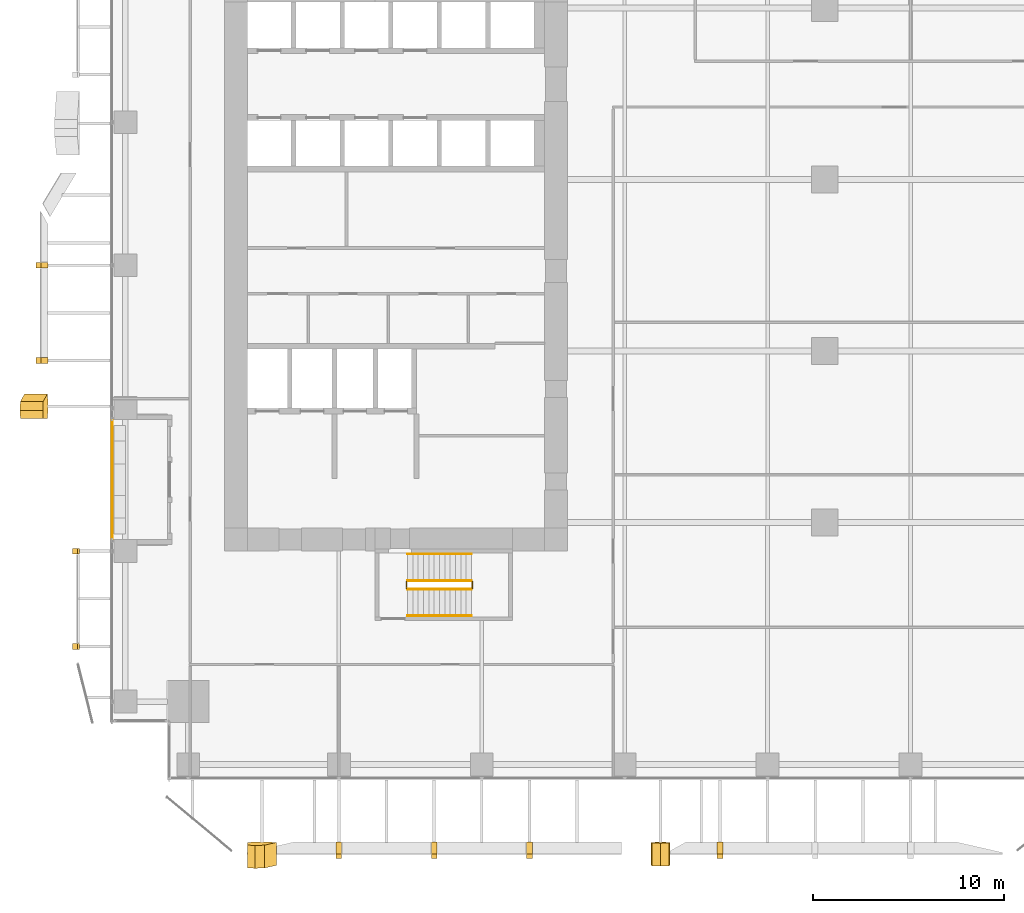
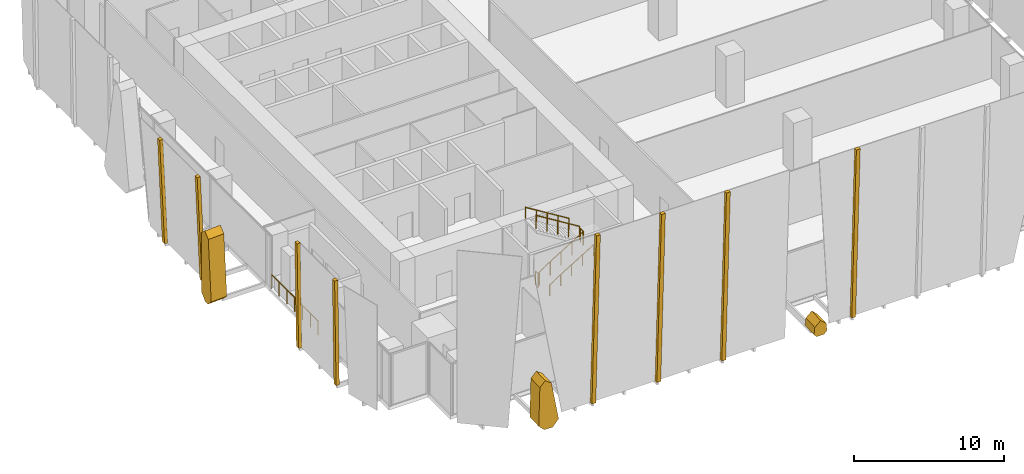
# One storey, part 31 of 35: 11 coverings, 7 railings.
"""IFC4 building model written with IfcOpenShell, lengths in metres."""

from ifc_helpers import new_model, si_unit, direction, frame, origin, origin_2d, place, context, subcontext, project, spatial, polyline, circle, outline, extrude, source, transform, mapped, material, layer, layer_set, type_object, element, save


model = new_model("IFC4")

# Units and contexts
model_context = context("Model", 3, precision=1e-05, world=origin(), true_north=direction((0.0, 1.0)))
body_context = subcontext(model_context, "Body", "Model", "MODEL_VIEW")
ifc_project = project(units=[si_unit("LENGTHUNIT", "METRE"), si_unit("AREAUNIT", "SQUARE_METRE"), si_unit("VOLUMEUNIT", "CUBIC_METRE"), si_unit("PLANEANGLEUNIT", "RADIAN"), si_unit("MASSUNIT", "GRAM", prefix="KILO")], contexts=[model_context])

# Site, building, storey
site_placement = place(None, origin())
site = spatial("IfcSite", under=ifc_project, at=site_placement, CompositionType="ELEMENT")
building_placement = place(site_placement, origin())
building = spatial("IfcBuilding", under=site, at=building_placement, Name="Khomas Fold Tower", CompositionType="ELEMENT")
storey_placement = place(building_placement, frame((0.0, 0.0, 87.0)))
storey = spatial("IfcBuildingStorey", under=building, at=storey_placement, Name="L18", CompositionType="ELEMENT", Elevation=87.0)

# Coverings
ifc_material_1 = material(Name="Natural stone cladding", Category="masonry")
ifc_layer_1 = layer(ifc_material_1, 0.25)
ifc_layer_set_1 = layer_set([ifc_layer_1], Name="Natural stone cladding")
covering_type_1 = type_object("IfcCoveringType", Name="SK-Karibib marble stone mullion", PredefinedType="CLADDING", material=ifc_layer_set_1)
for number, where, z_axis, x_axis, name in (
    (1, (11.85009765625, -3.264892578125, 0.0), (0.0, 0.999041889432, 0.043764176671), (0.0, -0.043764176671, 0.999041889432), "OUTER SKIN mullion L18 SM100-3"),
    (2, (16.85009765625, -3.264892578125, 0.0), (0.0, 0.999041889432, 0.043764176671), (0.0, -0.043764176671, 0.999041889432), "OUTER SKIN mullion L18 SM101-5"),
    (3, (21.85009765625, -3.264892578125, 0.0), (0.0, 0.999041889432, 0.043764176671), (0.0, -0.043764176671, 0.999041889432), "OUTER SKIN mullion L18 SM102-7"),
    (4, (31.85009765625, -3.264892578125, 0.0), (0.0, 0.999041889432, 0.043764176671), (0.0, -0.043764176671, 0.999041889432), "OUTER SKIN mullion L18 SM104-10"),
):
    element("IfcCovering", number, at=place(storey_placement, frame(where, z_axis=z_axis, x_axis=x_axis)), inside=storey, type_object=covering_type_1, Name=name, PredefinedType="CLADDING", context=body_context, shape_type="SweptSolid", body=[
        extrude(outline(polyline([(0.0, 0.0), (14.06352323836003, 0.0), (14.06352323836003, 0.2998046875), (0.0, 0.2998046875), (0.0, 0.0)])), origin(), (0.0, 0.0, -1.0), 0.25),
    ])
for number, where, z_axis, x_axis, name in (
    (5, (-1.609375, 6.85009765625, 0.0), (0.999913371991, 0.0, 0.013162390123), (-0.013162390123, 0.0, 0.999913371991), "OUTER SKIN mullion L18 WM099-2"),
    (6, (-1.609375, 11.85009765625, 0.0), (0.999913371991, 0.0, 0.013162390123), (-0.013162390123, 0.0, 0.999913371991), "OUTER SKIN mullion L18 WM100-4"),
):
    element("IfcCovering", number, at=place(storey_placement, frame(where, z_axis=z_axis, x_axis=x_axis)), inside=storey, type_object=covering_type_1, Name=name, PredefinedType="CLADDING", context=body_context, shape_type="SweptSolid", body=[
        extrude(outline(polyline([(0.0, 0.0), (8.550789566001143, 0.0), (8.550789566001143, -0.2998046875), (0.0, -0.2998046875), (0.0, 0.0)])), origin(), (0.0, 0.0, -1.0), 0.25),
    ])
for number, where, z_axis, x_axis, name in (
    (7, (-3.639404296875, 22.14990234375, 8.550048828125), (0.999042057933, 0.0, 0.043760329998), (0.043760329998, 0.0, -0.999042057933), "OUTER SKIN mullion L18 WM102-5"),
    (8, (-3.639404296875, 27.14990234375, 8.550048828125), (0.999042057933, 0.0, 0.043760329998), (0.043760329998, 0.0, -0.999042057933), "OUTER SKIN mullion L18 WM103-7"),
):
    element("IfcCovering", number, at=place(storey_placement, frame(where, z_axis=z_axis, x_axis=x_axis)), inside=storey, type_object=covering_type_1, Name=name, PredefinedType="CLADDING", context=body_context, shape_type="SweptSolid", body=[
        extrude(outline(polyline([(0.0, 0.0), (8.558247133075952, 0.0), (8.558247133075952, -0.2998046875), (0.0, -0.2998046875), (0.0, 0.0)])), origin(), (0.0, 0.0, -1.0), 0.25),
    ])
ifc_material_2 = material(Name="Natural stone cladding", Category="masonry")
ifc_layer_2 = layer(ifc_material_2, 1.199951171875)
ifc_layer_set_2 = layer_set([ifc_layer_2], Name="Natural stone cladding")
covering_type_2 = type_object("IfcCoveringType", Name="SK-Karibib marble stone panel", PredefinedType="CLADDING", material=ifc_layer_set_2)
covering_1_placement = place(storey_placement, frame((7.199951171875, -3.28466796875, 0.449951171875), z_axis=(9.4853764e-05, 0.999040844826, 0.04378791354), x_axis=(-4.925e-09, -0.043787913737, 0.99904084932)))
element("IfcCovering", 9, at=covering_1_placement, inside=storey, type_object=covering_type_2, Name="OUTER SKIN leaf L18 SS03-1", PredefinedType="CLADDING", context=body_context, shape_type="SweptSolid", body=[
    extrude(outline(polyline([(0.0, 0.0), (3.2264760126258487, 1.6940658945086007e-21), (3.674666376509045, 0.406494155252103), (3.3129899406757155, 0.8916015701172282), (0.08651392494154138, 1.5227050829031346), (-0.4503855293270899, 1.0812988159203025), (-0.4503855262175622, 0.4499511625104944), (0.0, 0.0)])), origin(), (0.0, 0.0, -1.0), 1.199951171875),
])
covering_2_placement = place(storey_placement, frame((28.42919921875, -3.3125, 1.087890625), z_axis=(0.0, 0.999042286618, 0.043755108823), x_axis=(0.733814728293, -0.029725017787, 0.678699025974)))
element("IfcCovering", 10, at=covering_2_placement, inside=storey, type_object=covering_type_2, Name="OUTER SKIN leaf L18 SS06-2", PredefinedType="CLADDING", context=body_context, shape_type="SweptSolid", body=[
    extrude(outline(polyline([(0.0, 0.0), (0.6111710638031769, -5.551115123125783e-17), (0.6583909000183447, 0.6095239153369367), (0.28307548144141087, 1.084288454298019), (-0.03624354222575099, 1.1093651528515838), (-0.44489378520312356, 0.731045683223406), (-0.44464801131355947, 0.4105779388970292), (0.0, 0.0)])), origin(), (0.0, 0.0, -1.0), 1.199951171875),
])
covering_3_placement = place(storey_placement, frame((-3.28466796875, 18.949951171875, 0.449951171875), z_axis=(0.999042138393, -6.7033098e-05, 0.043758441728), x_axis=(-0.043758441827, 7.81e-10, 0.999042140637)))
element("IfcCovering", 11, at=covering_3_placement, inside=storey, type_object=covering_type_2, Name="OUTER SKIN leaf L18 WS05-1", PredefinedType="CLADDING", context=body_context, shape_type="SweptSolid", body=[
    extrude(outline(polyline([(0.0, 0.0), (5.167789176070743, 0.0), (5.617686885075836, -0.43237303960935325), (5.202975851309773, -0.8986816436020209), (0.035186675554949934, -1.3029785176936797), (-0.4503855215447625, -0.8544921904425469), (-0.4503855218608732, -0.4499511757264364), (0.0, 0.0)])), origin(), (0.0, 0.0, -1.0), 1.199951171875),
])

# Railings
ifc_material_3 = material(Name="Powder-coated steel", Category="steel")
railing_type_1 = type_object("IfcRailingType", Name="Balcony guard", PredefinedType="GUARDRAIL", material=ifc_material_3)
shared_shape_1 = source(origin(), body_context, "Body", "SweptSolid", [
    extrude(circle(Radius=0.02490234375, at=origin_2d()), frame((0.0, 0.0, 1.125), z_axis=(0.0, 1.0, 0.0), x_axis=(-1.0, 0.0, 0.0)), (0.0, 0.0, 1.0), 6.240234375),
    extrude(circle(Radius=0.02001953125, at=origin_2d()), origin(), (0.0, 0.0, 1.0), 1.099853515625),
    extrude(circle(Radius=0.02001953125, at=origin_2d()), frame((0.0, 1.0400390625, 0.0)), (0.0, 0.0, 1.0), 1.099853515625),
    extrude(circle(Radius=0.02001953125, at=origin_2d()), frame((0.0, 2.080078125, 0.0)), (0.0, 0.0, 1.0), 1.099853515625),
    extrude(circle(Radius=0.02001953125, at=origin_2d()), frame((0.0, 3.1201171875, 0.0)), (0.0, 0.0, 1.0), 1.099853515625),
    extrude(circle(Radius=0.02001953125, at=origin_2d()), frame((0.0, 4.16015625, 0.0)), (0.0, 0.0, 1.0), 1.099853515625),
    extrude(circle(Radius=0.02001953125, at=origin_2d()), frame((0.0, 5.2001953125, 0.0)), (0.0, 0.0, 1.0), 1.099853515625),
    extrude(circle(Radius=0.02001953125, at=origin_2d()), frame((0.0, 6.240234375, 0.0)), (0.0, 0.0, 1.0), 1.099853515625),
])
railing_1_placement = place(storey_placement, frame((0.10009765625, 12.6298828125, -0.044921875)))
element("IfcRailing", 12, at=railing_1_placement, inside=storey, type_object=railing_type_1, Name="Balcony guard BAL-L18-W1", PredefinedType="GUARDRAIL", context=body_context, shape_type="MappedRepresentation", body=[
    mapped(shared_shape_1, transform((0.0, 0.0, 0.0))),
])
ifc_material_4 = material(Name="Steel balustrade", Category="steel")
railing_type_2 = type_object("IfcRailingType", Name="Stair guard", PredefinedType="GUARDRAIL", material=ifc_material_4)
shared_shape_2 = source(origin(), body_context, "Body", "SweptSolid", [
    extrude(circle(Radius=0.02392578125, at=origin_2d()), frame((0.0, 0.0, 1.076171875), z_axis=(0.850606129759, 0.0, 0.525803396734), x_axis=(0.0, 1.0, 0.0)), (0.0, 0.0, 1.0), 3.949951171875),
    extrude(circle(Radius=0.02099609375, at=origin_2d()), origin(), (0.0, 0.0, 1.0), 1.052001953125),
    extrude(circle(Radius=0.02099609375, at=origin_2d()), frame((0.83984375, 0.0, 0.519287109375)), (0.0, 0.0, 1.0), 1.052001953125),
    extrude(circle(Radius=0.02099609375, at=origin_2d()), frame((1.679931640625, 0.0, 1.03857421875)), (0.0, 0.0, 1.0), 1.052001953125),
    extrude(circle(Radius=0.02099609375, at=origin_2d()), frame((2.52001953125, 0.0, 1.5576171875)), (0.0, 0.0, 1.0), 1.052001953125),
    extrude(circle(Radius=0.02099609375, at=origin_2d()), frame((3.35986328125, 0.0, 2.076904296875)), (0.0, 0.0, 1.0), 1.052001953125),
])
railing_2_placement = place(storey_placement, frame((15.60009765625, 10.0, 0.173095703125)))
element("IfcRailing", 13, at=railing_2_placement, inside=storey, type_object=railing_type_2, Name="L18 ST2 stair guard 1", PredefinedType="GUARDRAIL", context=body_context, shape_type="MappedRepresentation", body=[
    mapped(shared_shape_2, transform((0.0, 0.0, 0.0))),
])
shared_shape_3 = source(origin(), body_context, "Body", "SweptSolid", [
    extrude(circle(Radius=0.02392578125, at=origin_2d()), frame((0.0, 0.0, 1.076171875), z_axis=(0.0, 1.0, 0.0), x_axis=(-1.0, 0.0, 0.0)), (0.0, 0.0, 1.0), 0.349853515625),
    extrude(circle(Radius=0.02099609375, at=origin_2d()), origin(), (0.0, 0.0, 1.0), 1.052001953125),
    extrude(circle(Radius=0.02099609375, at=origin_2d()), frame((0.0, 0.349853515625, 0.0)), (0.0, 0.0, 1.0), 1.052001953125),
])
for number, where, name in (
    (14, (19.010009765625, 10.050048828125, 2.25), "L18 ST2 stair guard 2"),
    (15, (15.550048828125, 10.050048828125, 0.0), "L18 ST2 stair guard 4"),
):
    element("IfcRailing", number, at=place(storey_placement, frame(where)), inside=storey, type_object=railing_type_2, Name=name, PredefinedType="GUARDRAIL", context=body_context, shape_type="MappedRepresentation", body=[
        mapped(shared_shape_3, transform((0.0, 0.0, 0.0))),
    ])
shared_shape_4 = source(origin(), body_context, "Body", "SweptSolid", [
    extrude(circle(Radius=0.02392578125, at=origin_2d()), frame((0.0, 0.0, 1.076171875), z_axis=(-0.850606129759, 0.0, 0.525803396734), x_axis=(0.0, -1.0, 0.0)), (0.0, 0.0, 1.0), 3.949951171875),
    extrude(circle(Radius=0.02099609375, at=origin_2d()), origin(), (0.0, 0.0, 1.0), 1.052001953125),
    extrude(circle(Radius=0.02099609375, at=origin_2d()), frame((-0.83984375, 0.0, 0.519287109375)), (0.0, 0.0, 1.0), 1.052001953125),
    extrude(circle(Radius=0.02099609375, at=origin_2d()), frame((-1.679931640625, 0.0, 1.03857421875)), (0.0, 0.0, 1.0), 1.052001953125),
    extrude(circle(Radius=0.02099609375, at=origin_2d()), frame((-2.52001953125, 0.0, 1.5576171875)), (0.0, 0.0, 1.0), 1.052001953125),
    extrude(circle(Radius=0.02099609375, at=origin_2d()), frame((-3.35986328125, 0.0, 2.076904296875)), (0.0, 0.0, 1.0), 1.052001953125),
])
railing_3_placement = place(storey_placement, frame((18.9599609375, 10.449951171875, 2.423095703125)))
element("IfcRailing", 16, at=railing_3_placement, inside=storey, type_object=railing_type_2, Name="L18 ST2 stair guard 3", PredefinedType="GUARDRAIL", context=body_context, shape_type="MappedRepresentation", body=[
    mapped(shared_shape_4, transform((0.0, 0.0, 0.0))),
])
ifc_material_5 = material(Name="Steel handrail", Category="steel")
railing_type_3 = type_object("IfcRailingType", Name="Stair handrail", PredefinedType="HANDRAIL", material=ifc_material_5)
shared_shape_5 = source(origin(), body_context, "Body", "SweptSolid", [
    extrude(circle(Radius=0.02392578125, at=origin_2d()), frame((0.0, 0.0, 0.8759765625), z_axis=(0.850606129759, 0.0, 0.525803396734), x_axis=(0.0, 1.0, 0.0)), (0.0, 0.0, 1.0), 3.949951171875),
    extrude(circle(Radius=0.02099609375, at=origin_2d()), origin(), (0.0, 0.0, 1.0), 0.851806640625),
    extrude(circle(Radius=0.02099609375, at=origin_2d()), frame((0.83984375, 0.0, 0.519287109375)), (0.0, 0.0, 1.0), 0.851806640625),
    extrude(circle(Radius=0.02099609375, at=origin_2d()), frame((1.679931640625, 0.0, 1.03857421875)), (0.0, 0.0, 1.0), 0.851806640625),
    extrude(circle(Radius=0.02099609375, at=origin_2d()), frame((2.52001953125, 0.0, 1.5576171875)), (0.0, 0.0, 1.0), 0.851806640625),
    extrude(circle(Radius=0.02099609375, at=origin_2d()), frame((3.35986328125, 0.0, 2.076904296875)), (0.0, 0.0, 1.0), 0.851806640625),
])
railing_4_placement = place(storey_placement, frame((15.60009765625, 8.60009765625, 0.173095703125)))
element("IfcRailing", 17, at=railing_4_placement, inside=storey, type_object=railing_type_3, Name="L18 ST2 stair handrail 1", PredefinedType="HANDRAIL", context=body_context, shape_type="MappedRepresentation", body=[
    mapped(shared_shape_5, transform((0.0, 0.0, 0.0))),
])
shared_shape_6 = source(origin(), body_context, "Body", "SweptSolid", [
    extrude(circle(Radius=0.02392578125, at=origin_2d()), frame((0.0, 0.0, 0.8759765625), z_axis=(-0.850606129759, 0.0, 0.525803396734), x_axis=(0.0, -1.0, 0.0)), (0.0, 0.0, 1.0), 3.949951171875),
    extrude(circle(Radius=0.02099609375, at=origin_2d()), origin(), (0.0, 0.0, 1.0), 0.851806640625),
    extrude(circle(Radius=0.02099609375, at=origin_2d()), frame((-0.83984375, 0.0, 0.519287109375)), (0.0, 0.0, 1.0), 0.851806640625),
    extrude(circle(Radius=0.02099609375, at=origin_2d()), frame((-1.679931640625, 0.0, 1.03857421875)), (0.0, 0.0, 1.0), 0.851806640625),
    extrude(circle(Radius=0.02099609375, at=origin_2d()), frame((-2.52001953125, 0.0, 1.5576171875)), (0.0, 0.0, 1.0), 0.851806640625),
    extrude(circle(Radius=0.02099609375, at=origin_2d()), frame((-3.35986328125, 0.0, 2.076904296875)), (0.0, 0.0, 1.0), 0.851806640625),
])
railing_5_placement = place(storey_placement, frame((18.9599609375, 11.85009765625, 2.423095703125)))
element("IfcRailing", 18, at=railing_5_placement, inside=storey, type_object=railing_type_3, Name="L18 ST2 stair handrail 2", PredefinedType="HANDRAIL", context=body_context, shape_type="MappedRepresentation", body=[
    mapped(shared_shape_6, transform((0.0, 0.0, 0.0))),
])

save(model, "model.ifc")
